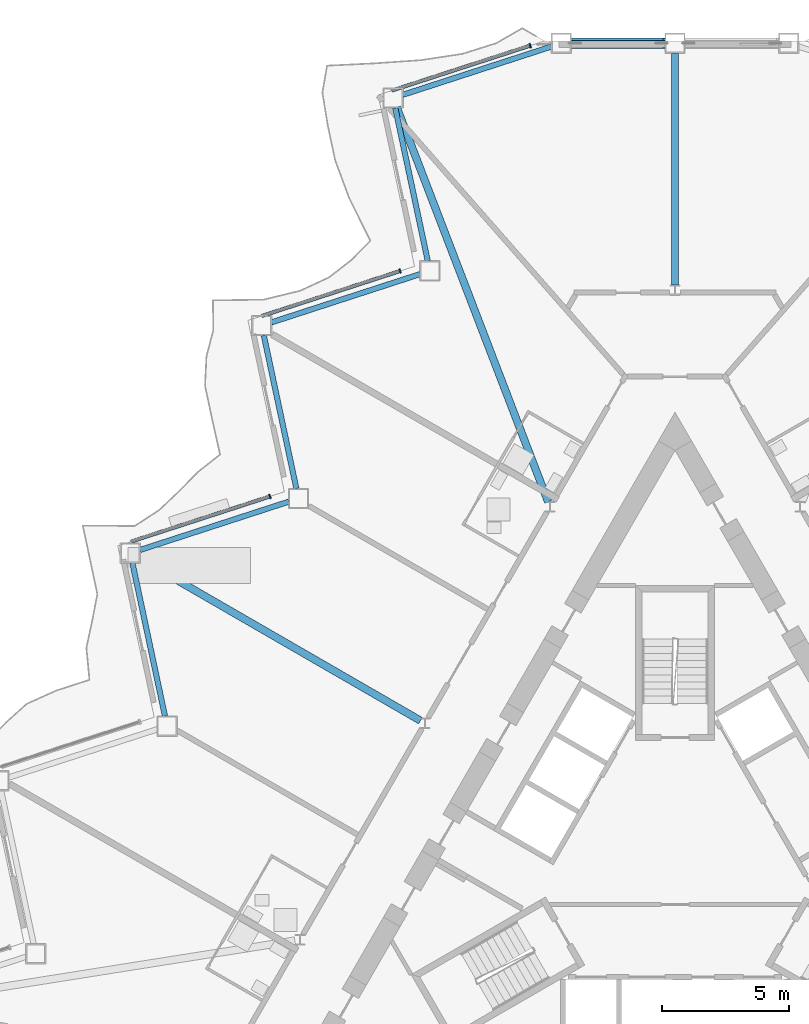
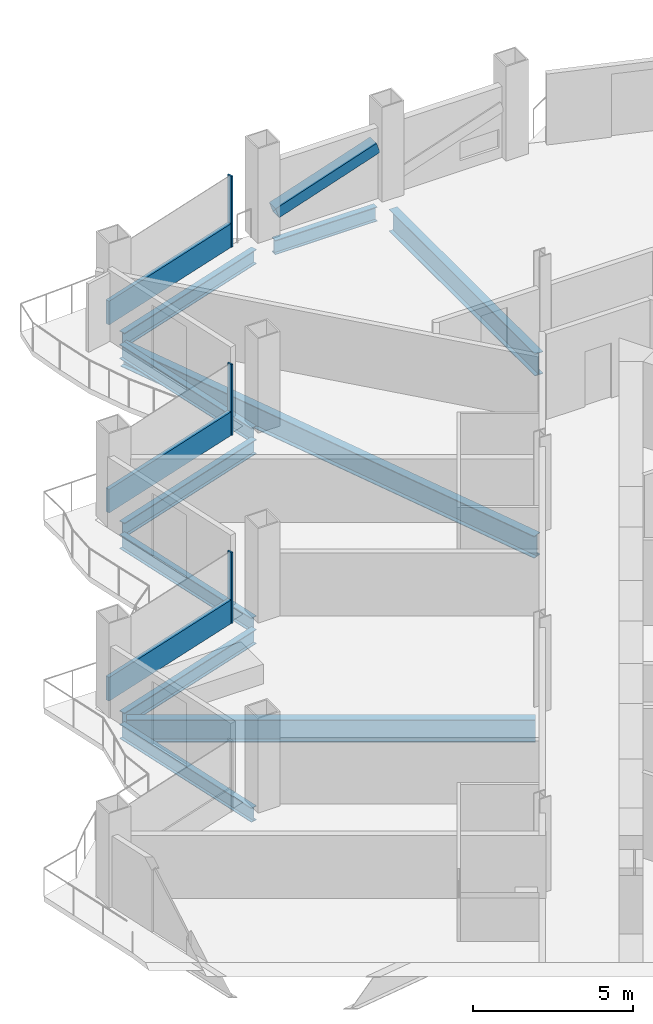
# One storey, part 7 of 23: 10 beams, 7 members, 3 elements without a shape of their own.
"""IFC4 building model written with IfcOpenShell, lengths in metres."""

from ifc_helpers import new_model, si_unit, direction, frame, origin, origin_2d, place, context, subcontext, project, spatial, rectangle, hollow_rectangle, i_section, extrude, material, layer, layer_set, material_profile, profile_set, type_object, element, aggregate, save


model = new_model("IFC4")

# Units and contexts
model_context = context("Model", 3, precision=1e-05, world=origin(), true_north=direction((0.0, 1.0)))
body_context = subcontext(model_context, "Body", "Model", "MODEL_VIEW")
ifc_project = project(units=[si_unit("LENGTHUNIT", "METRE"), si_unit("AREAUNIT", "SQUARE_METRE"), si_unit("VOLUMEUNIT", "CUBIC_METRE"), si_unit("PLANEANGLEUNIT", "RADIAN"), si_unit("MASSUNIT", "GRAM", prefix="KILO")], contexts=[model_context])

# Site, building, storey
site_placement = place(None, origin())
site = spatial("IfcSite", under=ifc_project, at=site_placement, CompositionType="ELEMENT")
building_placement = place(site_placement, origin())
building = spatial("IfcBuilding", under=site, at=building_placement, Name="Cormorant Prow Tower", CompositionType="ELEMENT")
storey_placement = place(building_placement, frame((0.0, 0.0, 172.800048828125)))
storey = spatial("IfcBuildingStorey", under=building, at=storey_placement, Name="L36", CompositionType="ELEMENT", Elevation=172.800048828125)

# Member
ifc_material_1 = material(Name="Structural steel ASTM A500 Gr C", Category="steel")
ifc_material_profile_1 = material_profile(ifc_material_1, hollow_rectangle(XDim=0.406494140625, YDim=0.406494140625, WallThickness=0.01171875, at=origin_2d()), Name="HSS16x16x1/2")
ifc_profile_set_1 = profile_set([ifc_material_profile_1], Name="Structural steel ASTM A500 Gr C")
member_type_1 = type_object("IfcMemberType", Name="Chamfer brace HSS16x16x1/2", PredefinedType="BRACE", material=ifc_profile_set_1)
member_1_placement = place(storey_placement, frame((-4.05322265625, 32.3994140625, 0.739990234375), z_axis=(0.947999999098, 0.0, 0.318270328039), x_axis=(0.0, 1.0, 0.0)))
element("IfcMember", 1, at=member_1_placement, inside=storey, type_object=member_type_1, Name="Chamfer brace BR2 at N01 L36", PredefinedType="BRACE", context=body_context, shape_type="SweptSolid", body=[
    extrude(hollow_rectangle(XDim=0.406494140625, YDim=0.406494140625, WallThickness=0.01171875, at=origin_2d()), origin(), (0.0, 0.0, 1.0), 3.83544921875),
])

# Curtain wall, member
ifc_material_2 = material(Name="Aluminium 6063-T6", Category="aluminium")
ifc_layer = layer(ifc_material_2, 0.179931640625)
ifc_layer_set = layer_set([ifc_layer], Name="Aluminium 6063-T6")
curtain_wall_type = type_object("IfcCurtainWallType", Name="Hotel unitised curtain wall 180", PredefinedType="NOTDEFINED", material=ifc_layer_set)
curtain_wall_1_placement = place(storey_placement, origin())
curtain_wall_1 = element("IfcCurtainWall", 2, at=curtain_wall_1_placement, inside=storey, type_object=curtain_wall_type, Name="Hotel curtain wall WNW00", PredefinedType="NOTDEFINED")
ifc_material_3 = material(Name="Aluminium 6063-T6", Category="aluminium")
ifc_material_profile_2 = material_profile(ifc_material_3, rectangle(XDim=0.179931640625, YDim=0.06005859375, at=origin_2d()), Name="Hotel mullion 60x180")
ifc_profile_set_2 = profile_set([ifc_material_profile_2], Name="Aluminium 6063-T6")
member_type_2 = type_object("IfcMemberType", Name="Hotel mullion 60x180", PredefinedType="MULLION", material=ifc_profile_set_2)
member_2_placement = place(storey_placement, frame((-5.692626953125, 32.30908203125, 0.0), z_axis=(0.0, 0.0, 1.0), x_axis=(0.309017069121, -0.951056492009, 0.0)))
member_2 = element("IfcMember", 3, at=member_2_placement, type_object=member_type_2, Name="Hotel mullion WNW00", PredefinedType="MULLION", context=body_context, shape_type="SweptSolid", body=[
    extrude(rectangle(XDim=0.179931640625, YDim=0.06005859375, at=origin_2d()), origin(), (0.0, 0.0, 1.0), 2.700927734375),
])

curtain_wall_2_placement = place(storey_placement, origin())
curtain_wall_2 = element("IfcCurtainWall", 4, at=curtain_wall_2_placement, inside=storey, type_object=curtain_wall_type, Name="Hotel curtain wall WNW02", PredefinedType="NOTDEFINED")
member_3_placement = place(storey_placement, frame((-10.808349609375, 23.448486328125, 0.0), z_axis=(0.0, 0.0, 1.0), x_axis=(0.309017069121, -0.951056492009, 0.0)))
member_3 = element("IfcMember", 5, at=member_3_placement, type_object=member_type_2, Name="Hotel mullion WNW02", PredefinedType="MULLION", context=body_context, shape_type="SweptSolid", body=[
    extrude(rectangle(XDim=0.179931640625, YDim=0.06005859375, at=origin_2d()), origin(), (0.0, 0.0, 1.0), 2.700927734375),
])

curtain_wall_3_placement = place(storey_placement, origin())
curtain_wall_3 = element("IfcCurtainWall", 6, at=curtain_wall_3_placement, inside=storey, type_object=curtain_wall_type, Name="Hotel curtain wall WNW04", PredefinedType="NOTDEFINED")
member_4_placement = place(storey_placement, frame((-15.924072265625, 14.587646484375, 0.0), z_axis=(0.0, 0.0, 1.0), x_axis=(0.309016937722, -0.951056534703, 0.0)))
member_4 = element("IfcMember", 7, at=member_4_placement, type_object=member_type_2, Name="Hotel mullion WNW04", PredefinedType="MULLION", context=body_context, shape_type="SweptSolid", body=[
    extrude(rectangle(XDim=0.179931640625, YDim=0.06005859375, at=origin_2d()), origin(), (0.0, 0.0, 1.0), 2.700927734375),
])

# Member
ifc_material_4 = material(Name="Terracotta", Category="masonry")
ifc_material_profile_3 = material_profile(ifc_material_4, rectangle(XDim=0.139892578125, YDim=0.89990234375, at=origin_2d()), Name="Hotel terracotta spandrel rail 140x900")
ifc_profile_set_3 = profile_set([ifc_material_profile_3], Name="Terracotta")
member_type_3 = type_object("IfcMemberType", Name="Hotel terracotta spandrel rail 140x900", PredefinedType="USERDEFINED", material=ifc_profile_set_3)
member_5_placement = place(storey_placement, frame((-5.72119140625, 32.2998046875, 0.449951171875), z_axis=(-0.951059615859, -0.309007454735, 0.0), x_axis=(0.309007454735, -0.951059615859, 0.0)))
member_5 = element("IfcMember", 8, at=member_5_placement, type_object=member_type_3, Name="Hotel spandrel rail WNW00", ObjectType="TRANSOM", PredefinedType="USERDEFINED", context=body_context, shape_type="SweptSolid", body=[
    extrude(rectangle(XDim=0.139892578125, YDim=0.89990234375, at=origin_2d()), origin(), (0.0, 0.0, 1.0), 5.687744140625),
])

aggregate(curtain_wall_1, [member_2, member_5])

member_6_placement = place(storey_placement, frame((-10.8369140625, 23.439208984375, 0.449951171875), z_axis=(-0.951047000634, -0.309046279034, 0.0), x_axis=(0.309046279034, -0.951047000634, 0.0)))
member_6 = element("IfcMember", 9, at=member_6_placement, type_object=member_type_3, Name="Hotel spandrel rail WNW02", ObjectType="TRANSOM", PredefinedType="USERDEFINED", context=body_context, shape_type="SweptSolid", body=[
    extrude(rectangle(XDim=0.139892578125, YDim=0.89990234375, at=origin_2d()), origin(), (0.0, 0.0, 1.0), 5.687744140625),
])

aggregate(curtain_wall_2, [member_3, member_6])

member_7_placement = place(storey_placement, frame((-15.95263671875, 14.578369140625, 0.449951171875), z_axis=(-0.951059615859, -0.309007454735, 0.0), x_axis=(0.309007454735, -0.951059615859, 0.0)))
member_7 = element("IfcMember", 10, at=member_7_placement, type_object=member_type_3, Name="Hotel spandrel rail WNW04", ObjectType="TRANSOM", PredefinedType="USERDEFINED", context=body_context, shape_type="SweptSolid", body=[
    extrude(rectangle(XDim=0.139892578125, YDim=0.89990234375, at=origin_2d()), origin(), (0.0, 0.0, 1.0), 5.687744140625),
])

aggregate(curtain_wall_3, [member_4, member_7])

# Beams
ifc_material_5 = material(Name="Structural steel ASTM A992 Gr 50", Category="steel")
ifc_material_profile_4 = material_profile(ifc_material_5, i_section(OverallWidth=0.29296875, OverallDepth=0.845703125, WebThickness=0.015380859375, FlangeThickness=0.0244140625, at=origin_2d()), Name="W33x141")
ifc_profile_set_4 = profile_set([ifc_material_profile_4], Name="Structural steel ASTM A992 Gr 50")
beam_type_1 = type_object("IfcBeamType", Name="Radial floor beam W33x141", PredefinedType="BEAM", material=ifc_profile_set_4)
beam_1_placement = place(storey_placement, frame((0.0, 22.901611328125, -0.77294921875), z_axis=(0.0, 1.0, 0.0), x_axis=(-1.0, 0.0, 0.0)))
element("IfcBeam", 11, at=beam_1_placement, inside=storey, type_object=beam_type_1, Name="Radial floor beam FB2 1 L36", PredefinedType="BEAM", context=body_context, shape_type="SweptSolid", body=[
    extrude(i_section(OverallWidth=0.29296875, OverallDepth=0.845703125, WebThickness=0.015380859375, FlangeThickness=0.0244140625, at=origin_2d()), origin(), (0.0, 0.0, 1.0), 9.097900390625),
])
beam_2_placement = place(storey_placement, frame((-4.9873046875, 14.376220703125, -0.77294921875), z_axis=(-0.358301123829, 0.933606075742, 0.0), x_axis=(-0.933606075742, -0.358301123829, 0.0)))
element("IfcBeam", 12, at=beam_2_placement, inside=storey, type_object=beam_type_1, Name="Radial floor beam FB2 2 L36", PredefinedType="BEAM", context=body_context, shape_type="SweptSolid", body=[
    extrude(i_section(OverallWidth=0.29296875, OverallDepth=0.845703125, WebThickness=0.015380859375, FlangeThickness=0.0244140625, at=origin_2d()), origin(), (0.0, 0.0, 1.0), 16.604736328125),
])
beam_3_placement = place(storey_placement, frame((-10.0048828125, 5.7763671875, -0.77294921875), z_axis=(-0.866026069776, 0.499998846467, 0.0), x_axis=(-0.499998846467, -0.866026069776, 0.0)))
element("IfcBeam", 13, at=beam_3_placement, inside=storey, type_object=beam_type_1, Name="Radial floor beam FB2 3 L36", PredefinedType="BEAM", context=body_context, shape_type="SweptSolid", body=[
    extrude(i_section(OverallWidth=0.29296875, OverallDepth=0.845703125, WebThickness=0.015380859375, FlangeThickness=0.0244140625, at=origin_2d()), origin(), (0.0, 0.0, 1.0), 12.76904296875),
])
ifc_material_6 = material(Name="Structural steel ASTM A992 Gr 50", Category="steel")
ifc_material_profile_5 = material_profile(ifc_material_6, i_section(OverallWidth=0.2138671875, OverallDepth=0.549072265625, WebThickness=0.0146484375, FlangeThickness=0.023681640625, at=origin_2d()), Name="W21x93")
ifc_profile_set_5 = profile_set([ifc_material_profile_5], Name="Structural steel ASTM A992 Gr 50")
beam_type_2 = type_object("IfcBeamType", Name="Spandrel beam W21x93", PredefinedType="SPANDREL", material=ifc_profile_set_5)
beam_4_placement = place(storey_placement, frame((-0.39990234375, 32.3994140625, -0.62451171875), z_axis=(-1.0, 0.0, 0.0), x_axis=(0.0, -1.0, 0.0)))
element("IfcBeam", 14, at=beam_4_placement, inside=storey, type_object=beam_type_2, Name="Spandrel beam SB2 N01-WNW00 L36", PredefinedType="SPANDREL", context=body_context, shape_type="SweptSolid", body=[
    extrude(i_section(OverallWidth=0.2138671875, OverallDepth=0.549072265625, WebThickness=0.0146484375, FlangeThickness=0.023681640625, at=origin_2d()), origin(), (0.0, 0.0, 1.0), 3.67041015625),
])
beam_5_placement = place(storey_placement, frame((-4.850830078125, 32.27587890625, -0.62451171875), z_axis=(-0.951057696564, -0.309013361859, 0.0), x_axis=(0.309013361859, -0.951057696564, 0.0)))
element("IfcBeam", 15, at=beam_5_placement, inside=storey, type_object=beam_type_2, Name="Spandrel beam SB2 WNW00-WNW01 L36", PredefinedType="SPANDREL", context=body_context, shape_type="SweptSolid", body=[
    extrude(i_section(OverallWidth=0.2138671875, OverallDepth=0.549072265625, WebThickness=0.0146484375, FlangeThickness=0.023681640625, at=origin_2d()), origin(), (0.0, 0.0, 1.0), 6.14990234375),
])
beam_6_placement = place(storey_placement, frame((-10.996826171875, 29.860595703125, -0.62451171875), z_axis=(0.207904811195, -0.978149063018, 0.0), x_axis=(0.978149063018, 0.207904811195, 0.0)))
element("IfcBeam", 16, at=beam_6_placement, inside=storey, type_object=beam_type_2, Name="Spandrel beam SB2 WNW01-WNW02 L36", PredefinedType="SPANDREL", context=body_context, shape_type="SweptSolid", body=[
    extrude(i_section(OverallWidth=0.2138671875, OverallDepth=0.549072265625, WebThickness=0.0146484375, FlangeThickness=0.023681640625, at=origin_2d()), origin(), (0.0, 0.0, 1.0), 6.149658203125),
])
beam_7_placement = place(storey_placement, frame((-10.015625, 23.330322265625, -0.62451171875), z_axis=(-0.951057696564, -0.309013361859, 0.0), x_axis=(0.309013361859, -0.951057696564, 0.0)))
element("IfcBeam", 17, at=beam_7_placement, inside=storey, type_object=beam_type_2, Name="Spandrel beam SB2 WNW02-WNW03 L36", PredefinedType="SPANDREL", context=body_context, shape_type="SweptSolid", body=[
    extrude(i_section(OverallWidth=0.2138671875, OverallDepth=0.549072265625, WebThickness=0.0146484375, FlangeThickness=0.023681640625, at=origin_2d()), origin(), (0.0, 0.0, 1.0), 6.14990234375),
])
beam_8_placement = place(storey_placement, frame((-16.16162109375, 20.9150390625, -0.62451171875), z_axis=(0.207904811195, -0.978149063018, 0.0), x_axis=(0.978149063018, 0.207904811195, 0.0)))
element("IfcBeam", 18, at=beam_8_placement, inside=storey, type_object=beam_type_2, Name="Spandrel beam SB2 WNW03-WNW04 L36", PredefinedType="SPANDREL", context=body_context, shape_type="SweptSolid", body=[
    extrude(i_section(OverallWidth=0.2138671875, OverallDepth=0.549072265625, WebThickness=0.0146484375, FlangeThickness=0.023681640625, at=origin_2d()), origin(), (0.0, 0.0, 1.0), 6.149658203125),
])
beam_9_placement = place(storey_placement, frame((-15.18017578125, 14.384765625, -0.62451171875), z_axis=(-0.951057696564, -0.309013361859, 0.0), x_axis=(0.309013361859, -0.951057696564, 0.0)))
element("IfcBeam", 19, at=beam_9_placement, inside=storey, type_object=beam_type_2, Name="Spandrel beam SB2 WNW04-WNW05 L36", PredefinedType="SPANDREL", context=body_context, shape_type="SweptSolid", body=[
    extrude(i_section(OverallWidth=0.2138671875, OverallDepth=0.549072265625, WebThickness=0.0146484375, FlangeThickness=0.023681640625, at=origin_2d()), origin(), (0.0, 0.0, 1.0), 6.14990234375),
])
beam_10_placement = place(storey_placement, frame((-21.326416015625, 11.969482421875, -0.62451171875), z_axis=(0.207904811195, -0.978149063018, 0.0), x_axis=(0.978149063018, 0.207904811195, 0.0)))
element("IfcBeam", 20, at=beam_10_placement, inside=storey, type_object=beam_type_2, Name="Spandrel beam SB2 WNW05-WNW06 L36", PredefinedType="SPANDREL", context=body_context, shape_type="SweptSolid", body=[
    extrude(i_section(OverallWidth=0.2138671875, OverallDepth=0.549072265625, WebThickness=0.0146484375, FlangeThickness=0.023681640625, at=origin_2d()), origin(), (0.0, 0.0, 1.0), 6.149658203125),
])

save(model, "model.ifc")
